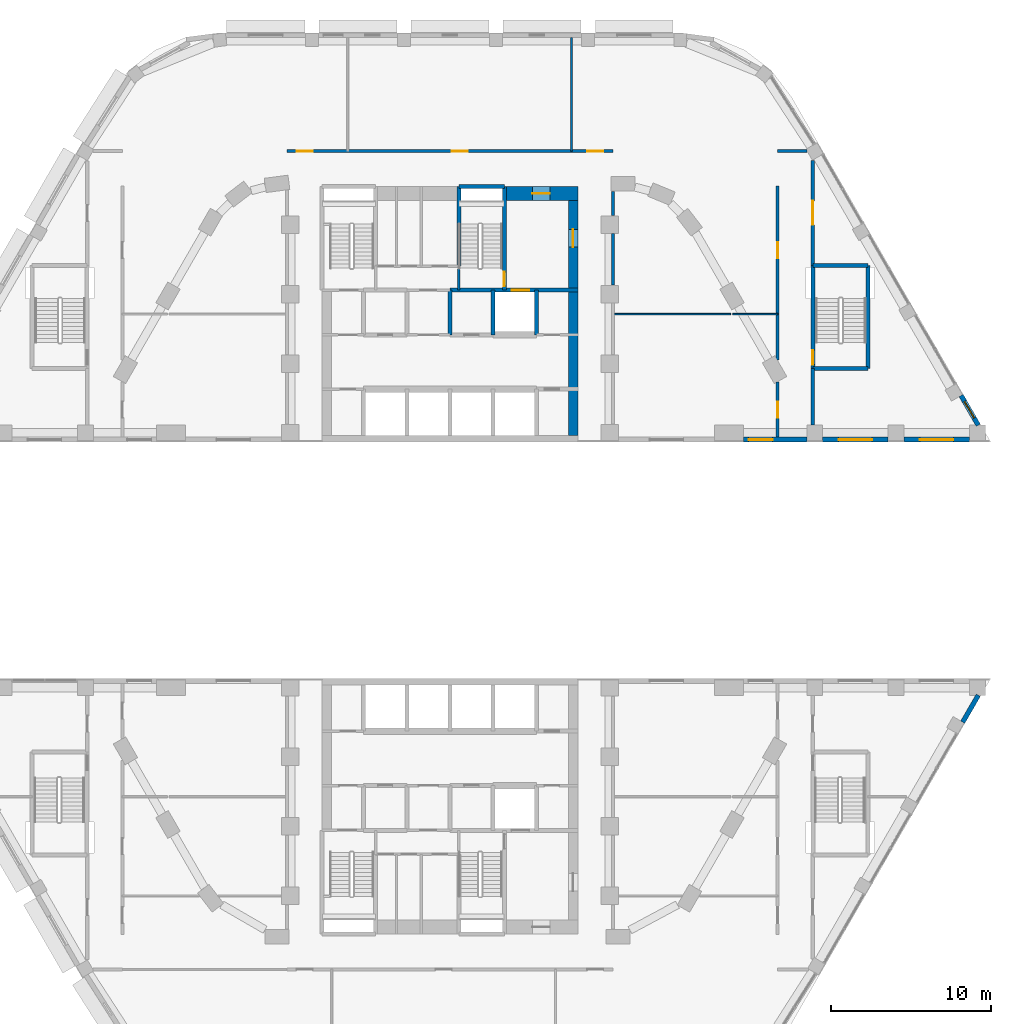
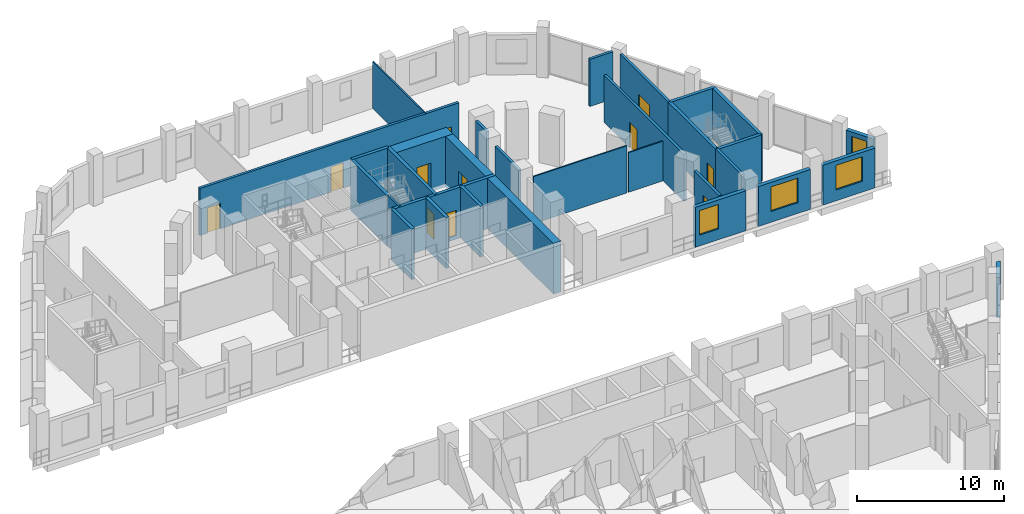
# One storey, part 15 of 22: 30 walls, 11 doors, 4 windows, 15 openings.
"""IFC4 building model written with IfcOpenShell, lengths in metres."""

from ifc_helpers import new_model, si_unit, direction, frame, frame_2d, origin, place, context, subcontext, project, spatial, rectangle, extrude, material, layer, layer_set, type_object, element, fill, save


model = new_model("IFC4")

# Units and contexts
model_context = context("Model", 3, precision=1e-05, world=origin(), true_north=direction((0.0, 1.0)))
body_context = subcontext(model_context, "Body", "Model", "MODEL_VIEW")
ifc_project = project(units=[si_unit("LENGTHUNIT", "METRE"), si_unit("AREAUNIT", "SQUARE_METRE"), si_unit("VOLUMEUNIT", "CUBIC_METRE"), si_unit("PLANEANGLEUNIT", "RADIAN"), si_unit("MASSUNIT", "GRAM", prefix="KILO")], contexts=[model_context])

# Site, building, storey
site_placement = place(None, origin())
site = spatial("IfcSite", under=ifc_project, at=site_placement, CompositionType="ELEMENT")
building_placement = place(site_placement, origin())
building = spatial("IfcBuilding", under=site, at=building_placement, Name="Nakaniwa Court", CompositionType="ELEMENT")
storey_placement = place(building_placement, frame((0.0, 0.0, 24.0)))
storey = spatial("IfcBuildingStorey", under=building, at=storey_placement, Name="L05", CompositionType="ELEMENT", Elevation=24.0)

# Wall
ifc_material_1 = material(Name="Acoustic double stud partition")
ifc_layer_1 = layer(ifc_material_1, 0.199951171875)
ifc_layer_set_1 = layer_set([ifc_layer_1], Name="Acoustic double stud partition")
wall_type_1 = type_object("IfcWallType", Name="Acoustic double stud partition 200", PredefinedType="PARTITIONING", material=ifc_layer_set_1)
wall_1_placement = place(storey_placement, frame((102.699951171875, 88.467041015625, 0.0), z_axis=(0.0, 0.0, 1.0), x_axis=(0.0, 1.0, 0.0)))
element("IfcWall", 1, at=wall_1_placement, inside=storey, type_object=wall_type_1, Name="Partition PW-081", PredefinedType="PARTITIONING", context=body_context, shape_type="SweptSolid", body=[
    extrude(rectangle(XDim=3.535888671875, YDim=0.199951171875, at=frame_2d((1.76806640625, 0.0))), origin(), (0.0, 0.0, 1.0), 3.925048828125),
])

# Wall, opening, door
wall_2_placement = place(storey_placement, frame((102.699951171875, 105.024658203125, 0.0), z_axis=(0.0, 0.0, 1.0), x_axis=(0.0, -1.0, 0.0)))
wall_2 = element("IfcWall", 2, at=wall_2_placement, inside=storey, type_object=wall_type_1, Name="Partition PW-082", PredefinedType="PARTITIONING", context=body_context, shape_type="SweptSolid", body=[
    extrude(rectangle(XDim=6.57763671875, YDim=0.199951171875, at=frame_2d((3.288818359375, 0.0))), origin(), (0.0, 0.0, 1.0), 3.925048828125),
])
opening_1_placement = place(wall_2_placement, frame((2.5390625, 0.0, 0.0)))
opening_1 = element("IfcOpeningElement", 3, at=opening_1_placement, cuts=wall_2, Name="Opening D-12-01", PredefinedType="OPENING", context=body_context, shape_type="SweptSolid", body=[
    extrude(rectangle(XDim=1.5, YDim=2.10009765625, at=frame_2d((0.75, 1.050048828125))), frame((0.0, 0.10986328125, 0.0), z_axis=(0.0, -1.0, 0.0), x_axis=(1.0, 0.0, 0.0)), (0.0, 0.0, 1.0), 0.219970703125),
])
ifc_material_2 = material(Name="Glazed timber double door set", Category="wood")
door_type_1 = type_object("IfcDoorType", Name="Double door 1500", OperationType="NOTDEFINED", PredefinedType="DOOR", material=ifc_material_2)
door_1_placement = place(opening_1_placement, origin())
door_1 = element("IfcDoor", 4, at=door_1_placement, inside=storey, type_object=door_type_1, Name="Door D-12-01 L05-030", OperationType="DOUBLE_DOOR_SINGLE_SWING", OverallHeight=2.10009765625, OverallWidth=1.5, PredefinedType="DOOR", context=body_context, shape_type="SweptSolid", body=[
    extrude(rectangle(XDim=1.5, YDim=2.10009765625, at=frame_2d((0.75, 1.050048828125))), frame((0.0, 0.02490234375, 0.0), z_axis=(0.0, -1.0, 0.0), x_axis=(1.0, 0.0, 0.0)), (0.0, 0.0, 1.0), 0.050048828125),
])
fill(opening_1, door_1)

wall_3_placement = place(storey_placement, frame((100.5, 87.699951171875, 0.0), z_axis=(0.0, 0.0, 1.0), x_axis=(0.0, 1.0, 0.0)))
wall_3 = element("IfcWall", 5, at=wall_3_placement, inside=storey, type_object=wall_type_1, Name="Partition PW-085", PredefinedType="PARTITIONING", context=body_context, shape_type="SweptSolid", body=[
    extrude(rectangle(XDim=3.44921875, YDim=0.199951171875, at=frame_2d((1.724609375, 0.0))), origin(), (0.0, 0.0, 1.0), 3.405029296875),
])
opening_2_placement = place(wall_3_placement, frame((1.222900390625, 0.0, 0.0)))
opening_2 = element("IfcOpeningElement", 6, at=opening_2_placement, cuts=wall_3, Name="Opening D-02-02", PredefinedType="OPENING", context=body_context, shape_type="SweptSolid", body=[
    extrude(rectangle(XDim=1.0, YDim=2.10009765625, at=frame_2d((0.5, 1.050048828125))), frame((0.0, 0.10986328125, 0.0), z_axis=(0.0, -1.0, 0.0), x_axis=(1.0, 0.0, 0.0)), (0.0, 0.0, 1.0), 0.219970703125),
])
ifc_material_3 = material(Name="Solid core timber door set, black veneer", Category="wood")
door_type_2 = type_object("IfcDoorType", Name="Internal door 1000", OperationType="NOTDEFINED", PredefinedType="DOOR", material=ifc_material_3)
door_2_placement = place(opening_2_placement, origin())
door_2 = element("IfcDoor", 7, at=door_2_placement, inside=storey, type_object=door_type_2, Name="Door D-02-02 L05-031", OperationType="SINGLE_SWING_RIGHT", OverallHeight=2.10009765625, OverallWidth=1.0, PredefinedType="DOOR", context=body_context, shape_type="SweptSolid", body=[
    extrude(rectangle(XDim=1.0, YDim=2.10009765625, at=frame_2d((0.5, 1.050048828125))), frame((0.0, 0.02490234375, 0.0), z_axis=(0.0, -1.0, 0.0), x_axis=(1.0, 0.0, 0.0)), (0.0, 0.0, 1.0), 0.050048828125),
])
fill(opening_2, door_2)

wall_4_placement = place(storey_placement, frame((100.5, 92.52978515625, 0.0), z_axis=(0.0, 0.0, 1.0), x_axis=(0.0, 1.0, 0.0)))
wall_4 = element("IfcWall", 8, at=wall_4_placement, inside=storey, type_object=wall_type_1, Name="Partition PW-086", PredefinedType="PARTITIONING", context=body_context, shape_type="SweptSolid", body=[
    extrude(rectangle(XDim=10.873291015625, YDim=0.199951171875, at=frame_2d((5.4365234375, 0.0))), origin(), (0.0, 0.0, 1.0), 3.925048828125),
])
opening_3_placement = place(wall_4_placement, frame((6.3701171875, 0.0, 0.0)))
opening_3 = element("IfcOpeningElement", 9, at=opening_3_placement, cuts=wall_4, Name="Opening D-02-03", PredefinedType="OPENING", context=body_context, shape_type="SweptSolid", body=[
    extrude(rectangle(XDim=1.0, YDim=2.10009765625, at=frame_2d((0.5, 1.050048828125))), frame((0.0, 0.10986328125, 0.0), z_axis=(0.0, -1.0, 0.0), x_axis=(1.0, 0.0, 0.0)), (0.0, 0.0, 1.0), 0.219970703125),
])
door_3_placement = place(opening_3_placement, origin())
door_3 = element("IfcDoor", 10, at=door_3_placement, inside=storey, type_object=door_type_2, Name="Door D-02-03 L05-032", OperationType="SINGLE_SWING_LEFT", OverallHeight=2.10009765625, OverallWidth=1.0, PredefinedType="DOOR", context=body_context, shape_type="SweptSolid", body=[
    extrude(rectangle(XDim=1.0, YDim=2.10009765625, at=frame_2d((0.5, 1.050048828125))), frame((0.0, 0.02490234375, 0.0), z_axis=(0.0, -1.0, 0.0), x_axis=(1.0, 0.0, 0.0)), (0.0, 0.0, 1.0), 0.050048828125),
])
fill(opening_3, door_3)

# Wall, openings, doors
wall_5_placement = place(storey_placement, frame((69.800048828125, 105.60009765625, 0.0), z_axis=(0.0, 0.0, 1.0), x_axis=(1.0, 0.0, 0.0)))
wall_5 = element("IfcWall", 11, at=wall_5_placement, inside=storey, type_object=wall_type_1, Name="Partition PW-088", PredefinedType="PARTITIONING", context=body_context, shape_type="SweptSolid", body=[
    extrude(rectangle(XDim=20.39990234375, YDim=0.199951171875, at=frame_2d((10.199951171875, 0.0))), origin(), (0.0, 0.0, 1.0), 3.925048828125),
])
opening_4_placement = place(wall_5_placement, frame((0.60205078125, 0.0, 0.0)))
opening_4 = element("IfcOpeningElement", 12, at=opening_4_placement, cuts=wall_5, Name="Opening D-02-06", PredefinedType="OPENING", context=body_context, shape_type="SweptSolid", body=[
    extrude(rectangle(XDim=1.0, YDim=2.10009765625, at=frame_2d((0.5, 1.050048828125))), frame((0.0, 0.10986328125, 0.0), z_axis=(0.0, -1.0, 0.0), x_axis=(1.0, 0.0, 0.0)), (0.0, 0.0, 1.0), 0.219970703125),
])
opening_5_placement = place(wall_5_placement, frame((18.800048828125, 0.0, 0.0)))
opening_5 = element("IfcOpeningElement", 13, at=opening_5_placement, cuts=wall_5, Name="Opening D-02-07", PredefinedType="OPENING", context=body_context, shape_type="SweptSolid", body=[
    extrude(rectangle(XDim=1.0, YDim=2.10009765625, at=frame_2d((0.5, 1.050048828125))), frame((0.0, 0.10986328125, 0.0), z_axis=(0.0, -1.0, 0.0), x_axis=(1.0, 0.0, 0.0)), (0.0, 0.0, 1.0), 0.219970703125),
])
opening_6_placement = place(wall_5_placement, frame((10.300048828125, 0.0, 0.0)))
opening_6 = element("IfcOpeningElement", 14, at=opening_6_placement, cuts=wall_5, Name="Opening D-02-08", PredefinedType="OPENING", context=body_context, shape_type="SweptSolid", body=[
    extrude(rectangle(XDim=1.0, YDim=2.10009765625, at=frame_2d((0.5, 1.050048828125))), frame((0.0, 0.10986328125, 0.0), z_axis=(0.0, -1.0, 0.0), x_axis=(1.0, 0.0, 0.0)), (0.0, 0.0, 1.0), 0.219970703125),
])
door_4_placement = place(opening_4_placement, origin())
door_4 = element("IfcDoor", 15, at=door_4_placement, inside=storey, type_object=door_type_2, Name="Door D-02-06 L05-035", OperationType="SINGLE_SWING_RIGHT", OverallHeight=2.10009765625, OverallWidth=1.0, PredefinedType="DOOR", context=body_context, shape_type="SweptSolid", body=[
    extrude(rectangle(XDim=1.0, YDim=2.10009765625, at=frame_2d((0.5, 1.050048828125))), frame((0.0, 0.02490234375, 0.0), z_axis=(0.0, -1.0, 0.0), x_axis=(1.0, 0.0, 0.0)), (0.0, 0.0, 1.0), 0.050048828125),
])
fill(opening_4, door_4)
door_5_placement = place(opening_5_placement, origin())
door_5 = element("IfcDoor", 16, at=door_5_placement, inside=storey, type_object=door_type_2, Name="Door D-02-07 L05-036", OperationType="SINGLE_SWING_LEFT", OverallHeight=2.10009765625, OverallWidth=1.0, PredefinedType="DOOR", context=body_context, shape_type="SweptSolid", body=[
    extrude(rectangle(XDim=1.0, YDim=2.10009765625, at=frame_2d((0.5, 1.050048828125))), frame((0.0, 0.02490234375, 0.0), z_axis=(0.0, -1.0, 0.0), x_axis=(1.0, 0.0, 0.0)), (0.0, 0.0, 1.0), 0.050048828125),
])
fill(opening_5, door_5)
door_6_placement = place(opening_6_placement, origin())
door_6 = element("IfcDoor", 17, at=door_6_placement, inside=storey, type_object=door_type_2, Name="Door D-02-08 L05-037", OperationType="SINGLE_SWING_RIGHT", OverallHeight=2.10009765625, OverallWidth=1.0, PredefinedType="DOOR", context=body_context, shape_type="SweptSolid", body=[
    extrude(rectangle(XDim=1.0, YDim=2.10009765625, at=frame_2d((0.5, 1.050048828125))), frame((0.0, 0.02490234375, 0.0), z_axis=(0.0, -1.0, 0.0), x_axis=(1.0, 0.0, 0.0)), (0.0, 0.0, 1.0), 0.050048828125),
])
fill(opening_6, door_6)

# Walls
wall_6_placement = place(storey_placement, frame((100.5, 105.60009765625, 0.0), z_axis=(0.0, 0.0, 1.0), x_axis=(1.0, 0.0, 0.0)))
element("IfcWall", 18, at=wall_6_placement, inside=storey, type_object=wall_type_1, Name="Partition PW-089", PredefinedType="PARTITIONING", context=body_context, shape_type="SweptSolid", body=[
    extrude(rectangle(XDim=1.823486328125, YDim=0.199951171875, at=frame_2d((0.91162109375, 0.0))), origin(), (0.0, 0.0, 1.0), 3.925048828125),
])
wall_7_placement = place(storey_placement, frame((90.199951171875, 97.217041015625, 0.0), z_axis=(0.0, 0.0, 1.0), x_axis=(0.0, 1.0, 0.0)))
element("IfcWall", 19, at=wall_7_placement, inside=storey, type_object=wall_type_1, Name="Partition PW-106", PredefinedType="PARTITIONING", context=body_context, shape_type="SweptSolid", body=[
    extrude(rectangle(XDim=3.216064453125, YDim=0.199951171875, at=frame_2d((1.60791015625, 0.0))), origin(), (0.0, 0.0, 1.0), 3.405029296875),
])
wall_8_placement = place(storey_placement, frame((90.199951171875, 101.56689453125, 0.0), z_axis=(0.0, 0.0, 1.0), x_axis=(0.0, 1.0, 0.0)))
element("IfcWall", 20, at=wall_8_placement, inside=storey, type_object=wall_type_1, Name="Partition PW-107", PredefinedType="PARTITIONING", context=body_context, shape_type="SweptSolid", body=[
    extrude(rectangle(XDim=1.51611328125, YDim=0.199951171875, at=frame_2d((0.758056640625, 0.0))), origin(), (0.0, 0.0, 1.0), 3.925048828125),
])
ifc_material_4 = material(Name="Charcoal ceramic cladding")
ifc_layer_2 = layer(ifc_material_4, 0.02, Name="Ceramic cladding")
ifc_material_5 = material(Name="Ventilated air cavity")
ifc_layer_3 = layer(ifc_material_5, 0.04, ventilated=True, Name="Ventilated cavity")
ifc_material_6 = material(Name="Mineral wool insulation")
ifc_layer_4 = layer(ifc_material_6, 0.1, Name="Insulation")
ifc_material_7 = material(Name="Cement bonded sheathing board")
ifc_layer_5 = layer(ifc_material_7, 0.012, Name="Sheathing")
ifc_material_8 = material(Name="Cold-formed galvanised stud frame with mineral wool infill")
ifc_layer_6 = layer(ifc_material_8, 0.1, Name="Stud frame")
ifc_material_9 = material(Name="Fire-rated gypsum plasterboard lining")
ifc_layer_7 = layer(ifc_material_9, 0.028, Name="Lining")
ifc_layer_set_2 = layer_set([ifc_layer_2, ifc_layer_3, ifc_layer_4, ifc_layer_5, ifc_layer_6, ifc_layer_7], Name="Charcoal ceramic faced external wall system")
wall_type_2 = type_object("IfcWallType", Name="Black ceramic faced external wall 300", PredefinedType="SOLIDWALL", material=ifc_layer_set_2)
wall_9_placement = place(storey_placement, frame((112.082275390625, 69.8681640625, 0.0), z_axis=(0.0, 0.0, 1.0), x_axis=(0.500051850797, 0.865995465643, 0.0)))
element("IfcWall", 21, at=wall_9_placement, inside=storey, type_object=wall_type_2, Name="L05 external wall 03", PredefinedType="SOLIDWALL", context=body_context, shape_type="SweptSolid", body=[
    extrude(rectangle(XDim=1.946044921875, YDim=0.300048828125, at=frame_2d((0.97314453125, 0.0))), origin(), (0.0, 0.0, 1.0), 3.324951171875),
])

# Wall, opening, window
wall_10_placement = place(storey_placement, frame((98.35400390625, 87.550048828125, 0.0), z_axis=(0.0, 0.0, 1.0), x_axis=(1.0, 0.0, 0.0)))
wall_10 = element("IfcWall", 22, at=wall_10_placement, inside=storey, type_object=wall_type_2, Name="L05 external wall 36", PredefinedType="SOLIDWALL", context=body_context, shape_type="SweptSolid", body=[
    extrude(rectangle(XDim=3.972900390625, YDim=0.300048828125, at=frame_2d((1.986328125, 0.0))), origin(), (0.0, 0.0, 1.0), 3.324951171875),
])
opening_7_placement = place(wall_10_placement, frame((0.3349609375, 0.0, 0.89990234375)))
opening_7 = element("IfcOpeningElement", 23, at=opening_7_placement, cuts=wall_10, Name="Opening W4.27", PredefinedType="OPENING", context=body_context, shape_type="SweptSolid", body=[
    extrude(rectangle(XDim=1.5, YDim=2.050048828125, at=frame_2d((0.75, 1.02490234375))), frame((0.0, 0.159912109375, 0.0), z_axis=(0.0, -1.0, 0.0), x_axis=(1.0, 0.0, 0.0)), (0.0, 0.0, 1.0), 0.320068359375),
])
ifc_material_10 = material(Name="Black anodised aluminium frame with dark low-E laminated double glazing", Category="aluminium")
window_type_1 = type_object("IfcWindowType", Name="Dark glass window 1500x2050 sill 900", PartitioningType="SINGLE_PANEL", PredefinedType="WINDOW", material=ifc_material_10)
window_1_placement = place(opening_7_placement, origin())
window_1 = element("IfcWindow", 24, at=window_1_placement, inside=storey, type_object=window_type_1, Name="L05 habitable room window 36-0", OverallHeight=2.050048828125, OverallWidth=1.5, PartitioningType="SINGLE_PANEL", PredefinedType="WINDOW", context=body_context, shape_type="SweptSolid", body=[
    extrude(rectangle(XDim=1.5, YDim=2.050048828125, at=frame_2d((0.75, 1.02490234375))), frame((0.0, 0.030029296875, 0.0), z_axis=(0.0, -1.0, 0.0), x_axis=(1.0, 0.0, 0.0)), (0.0, 0.0, 1.0), 0.06005859375),
])
fill(opening_7, window_1)

wall_11_placement = place(storey_placement, frame((103.319091796875, 87.550048828125, 0.0), z_axis=(0.0, 0.0, 1.0), x_axis=(1.0, 0.0, 0.0)))
wall_11 = element("IfcWall", 25, at=wall_11_placement, inside=storey, type_object=wall_type_2, Name="L05 external wall 37", PredefinedType="SOLIDWALL", context=body_context, shape_type="SweptSolid", body=[
    extrude(rectangle(XDim=4.093994140625, YDim=0.300048828125, at=frame_2d((2.046875, 0.0))), origin(), (0.0, 0.0, 1.0), 3.324951171875),
])
opening_8_placement = place(wall_11_placement, frame((0.9970703125, 0.0, 0.89990234375)))
opening_8 = element("IfcOpeningElement", 26, at=opening_8_placement, cuts=wall_11, Name="Opening W2.28", PredefinedType="OPENING", context=body_context, shape_type="SweptSolid", body=[
    extrude(rectangle(XDim=2.10009765625, YDim=2.050048828125, at=frame_2d((1.050048828125, 1.02490234375))), frame((0.0, 0.159912109375, 0.0), z_axis=(0.0, -1.0, 0.0), x_axis=(1.0, 0.0, 0.0)), (0.0, 0.0, 1.0), 0.320068359375),
])
window_type_2 = type_object("IfcWindowType", Name="Dark glass window 2100x2050 sill 900", PartitioningType="SINGLE_PANEL", PredefinedType="WINDOW", material=ifc_material_10)
window_2_placement = place(opening_8_placement, origin())
window_2 = element("IfcWindow", 27, at=window_2_placement, inside=storey, type_object=window_type_2, Name="L05 habitable room window 37-0", OverallHeight=2.050048828125, OverallWidth=2.10009765625, PartitioningType="SINGLE_PANEL", PredefinedType="WINDOW", context=body_context, shape_type="SweptSolid", body=[
    extrude(rectangle(XDim=2.10009765625, YDim=2.050048828125, at=frame_2d((1.050048828125, 1.02490234375))), frame((0.0, 0.030029296875, 0.0), z_axis=(0.0, -1.0, 0.0), x_axis=(1.0, 0.0, 0.0)), (0.0, 0.0, 1.0), 0.06005859375),
])
fill(opening_8, window_2)

wall_12_placement = place(storey_placement, frame((108.405029296875, 87.550048828125, 0.0), z_axis=(0.0, 0.0, 1.0), x_axis=(1.0, 0.0, 0.0)))
wall_12 = element("IfcWall", 28, at=wall_12_placement, inside=storey, type_object=wall_type_2, Name="L05 external wall 38", PredefinedType="SOLIDWALL", context=body_context, shape_type="SweptSolid", body=[
    extrude(rectangle(XDim=4.094970703125, YDim=0.300048828125, at=frame_2d((2.04736328125, 0.0))), origin(), (0.0, 0.0, 1.0), 3.324951171875),
])
opening_9_placement = place(wall_12_placement, frame((0.99755859375, 0.0, 0.89990234375)))
opening_9 = element("IfcOpeningElement", 29, at=opening_9_placement, cuts=wall_12, Name="Opening W2.29", PredefinedType="OPENING", context=body_context, shape_type="SweptSolid", body=[
    extrude(rectangle(XDim=2.10009765625, YDim=2.050048828125, at=frame_2d((1.050048828125, 1.02490234375))), frame((0.0, 0.159912109375, 0.0), z_axis=(0.0, -1.0, 0.0), x_axis=(1.0, 0.0, 0.0)), (0.0, 0.0, 1.0), 0.320068359375),
])
window_3_placement = place(opening_9_placement, origin())
window_3 = element("IfcWindow", 30, at=window_3_placement, inside=storey, type_object=window_type_2, Name="L05 habitable room window 38-0", OverallHeight=2.050048828125, OverallWidth=2.10009765625, PartitioningType="SINGLE_PANEL", PredefinedType="WINDOW", context=body_context, shape_type="SweptSolid", body=[
    extrude(rectangle(XDim=2.10009765625, YDim=2.050048828125, at=frame_2d((1.050048828125, 1.02490234375))), frame((0.0, 0.030029296875, 0.0), z_axis=(0.0, -1.0, 0.0), x_axis=(1.0, 0.0, 0.0)), (0.0, 0.0, 1.0), 0.06005859375),
])
fill(opening_9, window_3)

wall_13_placement = place(storey_placement, frame((113.055419921875, 88.446533203125, 0.0), z_axis=(0.0, 0.0, 1.0), x_axis=(-0.499987977232, 0.866032345022, 0.0)))
wall_13 = element("IfcWall", 31, at=wall_13_placement, inside=storey, type_object=wall_type_2, Name="L05 external wall 39", PredefinedType="SOLIDWALL", context=body_context, shape_type="SweptSolid", body=[
    extrude(rectangle(XDim=2.14892578125, YDim=0.300048828125, at=frame_2d((1.074462890625, 0.0))), origin(), (0.0, 0.0, 1.0), 3.324951171875),
])
opening_10_placement = place(wall_13_placement, frame((0.525146484375, 0.0, 0.89990234375)))
opening_10 = element("IfcOpeningElement", 32, at=opening_10_placement, cuts=wall_13, Name="Opening W1.30", PredefinedType="OPENING", context=body_context, shape_type="SweptSolid", body=[
    extrude(rectangle(XDim=1.199951171875, YDim=2.050048828125, at=frame_2d((0.60009765625, 1.02490234375))), frame((0.0, 0.159912109375, 0.0), z_axis=(0.0, -1.0, 0.0), x_axis=(1.0, 0.0, 0.0)), (0.0, 0.0, 1.0), 0.320068359375),
])
window_type_3 = type_object("IfcWindowType", Name="Dark glass window 1200x2050 sill 900", PartitioningType="SINGLE_PANEL", PredefinedType="WINDOW", material=ifc_material_10)
window_4_placement = place(opening_10_placement, origin())
window_4 = element("IfcWindow", 33, at=window_4_placement, inside=storey, type_object=window_type_3, Name="L05 habitable room window 39-0", OverallHeight=2.050048828125, OverallWidth=1.199951171875, PartitioningType="SINGLE_PANEL", PredefinedType="WINDOW", context=body_context, shape_type="SweptSolid", body=[
    extrude(rectangle(XDim=1.199951171875, YDim=2.050048828125, at=frame_2d((0.60009765625, 1.02490234375))), frame((0.0, 0.030029296875, 0.0), z_axis=(0.0, -1.0, 0.0), x_axis=(1.0, 0.0, 0.0)), (0.0, 0.0, 1.0), 0.06005859375),
])
fill(opening_10, window_4)

# Wall, opening, door
ifc_material_11 = material(Name="Concrete C100/115", Category="concrete")
ifc_layer_8 = layer(ifc_material_11, 0.60009765625)
ifc_layer_set_3 = layer_set([ifc_layer_8], Name="Concrete C100/115")
wall_type_3 = type_object("IfcWallType", Name="Concrete core side wall 600 C100", PredefinedType="SHEAR", material=ifc_layer_set_3)
wall_14_placement = place(storey_placement, frame((87.699951171875, 103.39990234375, -0.300048828125), z_axis=(0.0, 0.0, 1.0), x_axis=(0.0, -1.0, 0.0)))
wall_14 = element("IfcWall", 34, at=wall_14_placement, inside=storey, type_object=wall_type_3, Name="Core wall SW-15", PredefinedType="SHEAR", context=body_context, shape_type="SweptSolid", body=[
    extrude(rectangle(XDim=15.599853515625, YDim=0.60009765625, at=frame_2d((7.7998046875, 0.0))), origin(), (0.0, 0.0, 1.0), 4.22509765625),
])
opening_11_placement = place(wall_14_placement, frame((2.699951171875, 0.0, 0.300048828125)))
opening_11 = element("IfcOpeningElement", 35, at=opening_11_placement, cuts=wall_14, Name="Opening D-10-01", PredefinedType="OPENING", context=body_context, shape_type="SweptSolid", body=[
    extrude(rectangle(XDim=1.10009765625, YDim=2.10009765625, at=frame_2d((0.550048828125, 1.050048828125))), frame((0.0, 0.31005859375, 0.0), z_axis=(0.0, -1.0, 0.0), x_axis=(1.0, 0.0, 0.0)), (0.0, 0.0, 1.0), 0.6201171875),
])
ifc_material_12 = material(Name="Fire rated steel door set", Category="steel")
door_type_3 = type_object("IfcDoorType", Name="Firefighting lobby door 1100", OperationType="NOTDEFINED", PredefinedType="DOOR", material=ifc_material_12)
door_7_placement = place(opening_11_placement, origin())
door_7 = element("IfcDoor", 36, at=door_7_placement, inside=storey, type_object=door_type_3, Name="Door D-10-01 L05-053", OperationType="SINGLE_SWING_RIGHT", OverallHeight=2.10009765625, OverallWidth=1.10009765625, PredefinedType="DOOR", context=body_context, shape_type="SweptSolid", body=[
    extrude(rectangle(XDim=1.10009765625, YDim=2.10009765625, at=frame_2d((0.550048828125, 1.050048828125))), frame((0.0, 0.02490234375, 0.0), z_axis=(0.0, -1.0, 0.0), x_axis=(1.0, 0.0, 0.0)), (0.0, 0.0, 1.0), 0.050048828125),
])
fill(opening_11, door_7)

# Walls
ifc_layer_9 = layer(ifc_material_11, 0.14990234375)
ifc_layer_set_4 = layer_set([ifc_layer_9], Name="Concrete C100/115")
wall_type_4 = type_object("IfcWallType", Name="Concrete core wall 150 C100", PredefinedType="SHEAR", material=ifc_layer_set_4)
wall_15_placement = place(storey_placement, frame((80.550048828125, 96.89990234375, -0.300048828125), z_axis=(0.0, 0.0, 1.0), x_axis=(0.0, 1.0, 0.0)))
element("IfcWall", 37, at=wall_15_placement, inside=storey, type_object=wall_type_4, Name="Core wall SW-32", PredefinedType="SHEAR", context=body_context, shape_type="SweptSolid", body=[
    extrude(rectangle(XDim=1.503173828125, YDim=0.14990234375, at=frame_2d((0.75146484375, 0.0))), origin(), (0.0, 0.0, 1.0), 4.22509765625),
])
ifc_layer_10 = layer(ifc_material_11, 0.25)
ifc_layer_set_5 = layer_set([ifc_layer_10], Name="Concrete C100/115")
wall_type_5 = type_object("IfcWallType", Name="Concrete core wall 250 C100", PredefinedType="SHEAR", material=ifc_layer_set_5)
wall_16_placement = place(storey_placement, frame((80.550048828125, 103.39990234375, -0.300048828125), z_axis=(0.0, 0.0, 1.0), x_axis=(1.0, 0.0, 0.0)))
element("IfcWall", 38, at=wall_16_placement, inside=storey, type_object=wall_type_5, Name="Core wall SW-30", PredefinedType="SHEAR", context=body_context, shape_type="SweptSolid", body=[
    extrude(rectangle(XDim=2.849853515625, YDim=0.25, at=frame_2d((1.4248046875, 0.0))), origin(), (0.0, 0.0, 1.0), 4.22509765625),
])

# Wall, opening, door
wall_17_placement = place(storey_placement, frame((102.699951171875, 91.9970703125, -0.300048828125), z_axis=(0.0, 0.0, 1.0), x_axis=(0.0, 1.0, 0.0)))
wall_17 = element("IfcWall", 39, at=wall_17_placement, inside=storey, type_object=wall_type_5, Name="Core wall SW-78", PredefinedType="SHEAR", context=body_context, shape_type="SweptSolid", body=[
    extrude(rectangle(XDim=6.455810546875, YDim=0.25, at=frame_2d((3.22802734375, 0.0))), origin(), (0.0, 0.0, 1.0), 4.22509765625),
])
opening_12_placement = place(wall_17_placement, frame((0.25, 0.0, 0.300048828125)))
opening_12 = element("IfcOpeningElement", 40, at=opening_12_placement, cuts=wall_17, Name="Opening D-11-03", PredefinedType="OPENING", context=body_context, shape_type="SweptSolid", body=[
    extrude(rectangle(XDim=0.89990234375, YDim=2.10009765625, at=frame_2d((0.449951171875, 1.050048828125))), frame((0.0, 0.135009765625, 0.0), z_axis=(0.0, -1.0, 0.0), x_axis=(1.0, 0.0, 0.0)), (0.0, 0.0, 1.0), 0.27001953125),
])
door_type_4 = type_object("IfcDoorType", Name="Stair door 900", OperationType="NOTDEFINED", PredefinedType="DOOR", material=ifc_material_12)
door_8_placement = place(opening_12_placement, origin())
door_8 = element("IfcDoor", 41, at=door_8_placement, inside=storey, type_object=door_type_4, Name="Door D-11-03 L05-027", OperationType="SINGLE_SWING_LEFT", OverallHeight=2.10009765625, OverallWidth=0.89990234375, PredefinedType="DOOR", context=body_context, shape_type="SweptSolid", body=[
    extrude(rectangle(XDim=0.89990234375, YDim=2.10009765625, at=frame_2d((0.449951171875, 1.050048828125))), frame((0.0, 0.02490234375, 0.0), z_axis=(0.0, -1.0, 0.0), x_axis=(1.0, 0.0, 0.0)), (0.0, 0.0, 1.0), 0.050048828125),
])
fill(opening_12, door_8)

# Walls
wall_18_placement = place(storey_placement, frame((106.14990234375, 92.0, -0.300048828125), z_axis=(0.0, 0.0, 1.0), x_axis=(0.0, 1.0, 0.0)))
element("IfcWall", 42, at=wall_18_placement, inside=storey, type_object=wall_type_5, Name="Core wall SW-117", PredefinedType="SHEAR", context=body_context, shape_type="SweptSolid", body=[
    extrude(rectangle(XDim=6.449951171875, YDim=0.25, at=frame_2d((3.22509765625, 0.0))), origin(), (0.0, 0.0, 1.0), 4.22509765625),
])
for number, where, z_axis, x_axis, name in (
    (43, (102.699951171875, 98.449951171875, -0.300048828125), (0.0, 0.0, 1.0), (1.0, 0.0, 0.0), "Core wall SW-119"),
    (44, (102.699951171875, 92.0, -0.300048828125), (0.0, 0.0, 1.0), (1.0, 0.0, 0.0), "Core wall SW-121"),
):
    element("IfcWall", number, at=place(storey_placement, frame(where, z_axis=z_axis, x_axis=x_axis)), inside=storey, type_object=wall_type_5, Name=name, PredefinedType="SHEAR", context=body_context, shape_type="SweptSolid", body=[
        extrude(rectangle(XDim=3.449951171875, YDim=0.25, at=frame_2d((1.72509765625, 0.0))), origin(), (0.0, 0.0, 1.0), 4.22509765625),
    ])

# Wall, opening, door
ifc_layer_11 = layer(ifc_material_11, 0.89990234375)
ifc_layer_set_6 = layer_set([ifc_layer_11], Name="Concrete C100/115")
wall_type_6 = type_object("IfcWallType", Name="Concrete core wall 900 C100", PredefinedType="SHEAR", material=ifc_layer_set_6)
wall_19_placement = place(storey_placement, frame((83.39990234375, 102.949951171875, -0.300048828125), z_axis=(0.0, 0.0, 1.0), x_axis=(1.0, 0.0, 0.0)))
wall_19 = element("IfcWall", 45, at=wall_19_placement, inside=storey, type_object=wall_type_6, Name="Core wall SW-35", PredefinedType="SHEAR", context=body_context, shape_type="SweptSolid", body=[
    extrude(rectangle(XDim=4.60009765625, YDim=0.89990234375, at=frame_2d((2.300048828125, 0.0))), origin(), (0.0, 0.0, 1.0), 4.22509765625),
])
opening_13_placement = place(wall_19_placement, frame((1.748046875, 0.0, 0.300048828125)))
opening_13 = element("IfcOpeningElement", 46, at=opening_13_placement, cuts=wall_19, Name="Opening D-10-02", PredefinedType="OPENING", context=body_context, shape_type="SweptSolid", body=[
    extrude(rectangle(XDim=1.10009765625, YDim=2.10009765625, at=frame_2d((0.550048828125, 1.050048828125))), frame((0.0, 0.4599609375, 0.0), z_axis=(0.0, -1.0, 0.0), x_axis=(1.0, 0.0, 0.0)), (0.0, 0.0, 1.0), 0.919921875),
])
door_9_placement = place(opening_13_placement, origin())
door_9 = element("IfcDoor", 47, at=door_9_placement, inside=storey, type_object=door_type_3, Name="Door D-10-02 L05-054", OperationType="SINGLE_SWING_LEFT", OverallHeight=2.10009765625, OverallWidth=1.10009765625, PredefinedType="DOOR", context=body_context, shape_type="SweptSolid", body=[
    extrude(rectangle(XDim=1.10009765625, YDim=2.10009765625, at=frame_2d((0.550048828125, 1.050048828125))), frame((0.0, 0.02490234375, 0.0), z_axis=(0.0, -1.0, 0.0), x_axis=(1.0, 0.0, 0.0)), (0.0, 0.0, 1.0), 0.050048828125),
])
fill(opening_13, door_9)

# Walls
ifc_layer_12 = layer(ifc_material_11, 0.25)
ifc_layer_set_7 = layer_set([ifc_layer_12], Name="Concrete C100/115")
wall_type_7 = type_object("IfcWallType", Name="Concrete shaft wall 250 C100", PredefinedType="SHEAR", material=ifc_layer_set_7)
for number, where, z_axis, x_axis, name in (
    (48, (80.0, 94.10009765625, -0.300048828125), (0.0, 0.0, 1.0), (0.0, 1.0, 0.0), "Core wall SW-09"),
    (49, (82.699951171875, 94.10009765625, -0.300048828125), (0.0, 0.0, 1.0), (0.0, 1.0, 0.0), "Core wall SW-11"),
    (50, (85.39990234375, 94.10009765625, -0.300048828125), (0.0, 0.0, 1.0), (0.0, 1.0, 0.0), "Core wall SW-13"),
):
    element("IfcWall", number, at=place(storey_placement, frame(where, z_axis=z_axis, x_axis=x_axis)), inside=storey, type_object=wall_type_7, Name=name, PredefinedType="SHEAR", context=body_context, shape_type="SweptSolid", body=[
        extrude(rectangle(XDim=2.7998046875, YDim=0.25, at=frame_2d((1.39990234375, 0.0))), origin(), (0.0, 0.0, 1.0), 4.22509765625),
    ])

# Wall, opening, door
wall_20_placement = place(storey_placement, frame((80.0, 96.89990234375, -0.300048828125), z_axis=(0.0, 0.0, 1.0), x_axis=(1.0, 0.0, 0.0)))
wall_20 = element("IfcWall", 51, at=wall_20_placement, inside=storey, type_object=wall_type_7, Name="Core wall SW-24", PredefinedType="SHEAR", context=body_context, shape_type="SweptSolid", body=[
    extrude(rectangle(XDim=8.0, YDim=0.25, at=frame_2d((4.0, 0.0))), origin(), (0.0, 0.0, 1.0), 4.22509765625),
])
opening_14_placement = place(wall_20_placement, frame((3.84912109375, 0.0, 0.300048828125)))
opening_14 = element("IfcOpeningElement", 52, at=opening_14_placement, cuts=wall_20, Name="Opening LD01", PredefinedType="OPENING", context=body_context, shape_type="SweptSolid", body=[
    extrude(rectangle(XDim=1.10009765625, YDim=2.10009765625, at=frame_2d((0.550048828125, 1.050048828125))), frame((0.0, 0.135009765625, 0.0), z_axis=(0.0, -1.0, 0.0), x_axis=(1.0, 0.0, 0.0)), (0.0, 0.0, 1.0), 0.27001953125),
])
ifc_material_13 = material(Name="Stainless steel sliding lift landing door", Category="steel")
door_type_5 = type_object("IfcDoorType", Name="Lift landing door 1100", OperationType="NOTDEFINED", PredefinedType="DOOR", material=ifc_material_13)
door_10_placement = place(opening_14_placement, origin())
door_10 = element("IfcDoor", 53, at=door_10_placement, inside=storey, type_object=door_type_5, Name="Lift landing door LD01 L05-001", OperationType="SLIDING_TO_LEFT", OverallHeight=2.10009765625, OverallWidth=1.10009765625, PredefinedType="DOOR", context=body_context, shape_type="SweptSolid", body=[
    extrude(rectangle(XDim=1.10009765625, YDim=2.10009765625, at=frame_2d((0.550048828125, 1.050048828125))), frame((0.0, 0.02490234375, 0.0), z_axis=(0.0, -1.0, 0.0), x_axis=(1.0, 0.0, 0.0)), (0.0, 0.0, 1.0), 0.050048828125),
])
fill(opening_14, door_10)

wall_21_placement = place(storey_placement, frame((83.39990234375, 103.39990234375, -0.300048828125), z_axis=(0.0, 0.0, 1.0), x_axis=(0.0, -1.0, 0.0)))
wall_21 = element("IfcWall", 54, at=wall_21_placement, inside=storey, type_object=wall_type_7, Name="Core wall SW-31", PredefinedType="SHEAR", context=body_context, shape_type="SweptSolid", body=[
    extrude(rectangle(XDim=6.5, YDim=0.25, at=frame_2d((3.25, 0.0))), origin(), (0.0, 0.0, 1.0), 4.22509765625),
])
opening_15_placement = place(wall_21_placement, frame((5.35009765625, 0.0, 0.300048828125)))
opening_15 = element("IfcOpeningElement", 55, at=opening_15_placement, cuts=wall_21, Name="Opening D-11-01", PredefinedType="OPENING", context=body_context, shape_type="SweptSolid", body=[
    extrude(rectangle(XDim=0.89990234375, YDim=2.10009765625, at=frame_2d((0.449951171875, 1.050048828125))), frame((0.0, 0.135009765625, 0.0), z_axis=(0.0, -1.0, 0.0), x_axis=(1.0, 0.0, 0.0)), (0.0, 0.0, 1.0), 0.27001953125),
])
door_11_placement = place(opening_15_placement, origin())
door_11 = element("IfcDoor", 56, at=door_11_placement, inside=storey, type_object=door_type_4, Name="Door D-11-01 L05-013", OperationType="SINGLE_SWING_LEFT", OverallHeight=2.10009765625, OverallWidth=0.89990234375, PredefinedType="DOOR", context=body_context, shape_type="SweptSolid", body=[
    extrude(rectangle(XDim=0.89990234375, YDim=2.10009765625, at=frame_2d((0.449951171875, 1.050048828125))), frame((0.0, 0.02490234375, 0.0), z_axis=(0.0, -1.0, 0.0), x_axis=(1.0, 0.0, 0.0)), (0.0, 0.0, 1.0), 0.050048828125),
])
fill(opening_15, door_11)

# Walls
wall_22_placement = place(storey_placement, frame((80.550048828125, 98.39697265625, -0.300048828125), z_axis=(0.0, 0.0, 1.0), x_axis=(0.0, 1.0, 0.0)))
element("IfcWall", 57, at=wall_22_placement, inside=storey, type_object=wall_type_7, Name="Core wall SW-33", PredefinedType="SHEAR", context=body_context, shape_type="SweptSolid", body=[
    extrude(rectangle(XDim=5.0029296875, YDim=0.25, at=frame_2d((2.50146484375, 0.0))), origin(), (0.0, 0.0, 1.0), 4.22509765625),
])
ifc_material_14 = material(Name="Single stud plasterboard partition")
ifc_layer_13 = layer(ifc_material_14, 0.10009765625)
ifc_layer_set_8 = layer_set([ifc_layer_13], Name="Single stud plasterboard partition")
wall_type_8 = type_object("IfcWallType", Name="Single stud plasterboard partition 100", PredefinedType="PARTITIONING", material=ifc_layer_set_8)
wall_23_placement = place(storey_placement, frame((90.199951171875, 95.39990234375, 0.0), z_axis=(0.0, 0.0, 1.0), x_axis=(1.0, 0.0, 0.0)))
element("IfcWall", 58, at=wall_23_placement, inside=storey, type_object=wall_type_8, Name="Partition PW-126", PredefinedType="PARTITIONING", context=body_context, shape_type="SweptSolid", body=[
    extrude(rectangle(XDim=7.366455078125, YDim=0.10009765625, at=frame_2d((3.68310546875, 0.0))), origin(), (0.0, 0.0, 1.0), 3.925048828125),
])
wall_24_placement = place(storey_placement, frame((97.680419921875, 95.39990234375, 0.0), z_axis=(0.0, 0.0, 1.0), x_axis=(1.0, 0.0, 0.0)))
element("IfcWall", 59, at=wall_24_placement, inside=storey, type_object=wall_type_8, Name="Partition PW-127", PredefinedType="PARTITIONING", context=body_context, shape_type="SweptSolid", body=[
    extrude(rectangle(XDim=2.819580078125, YDim=0.10009765625, at=frame_2d((1.40966796875, 0.0))), origin(), (0.0, 0.0, 1.0), 3.304931640625),
])
wall_25_placement = place(storey_placement, frame((87.60009765625, 105.60009765625, 0.0), z_axis=(0.0, 0.0, 1.0), x_axis=(0.0, 1.0, 0.0)))
element("IfcWall", 60, at=wall_25_placement, inside=storey, type_object=wall_type_8, Name="Partition PW-129", PredefinedType="PARTITIONING", context=body_context, shape_type="SweptSolid", body=[
    extrude(rectangle(XDim=7.099853515625, YDim=0.10009765625, at=frame_2d((3.5498046875, 0.0))), origin(), (0.0, 0.0, 1.0), 3.925048828125),
])

save(model, "model.ifc")
